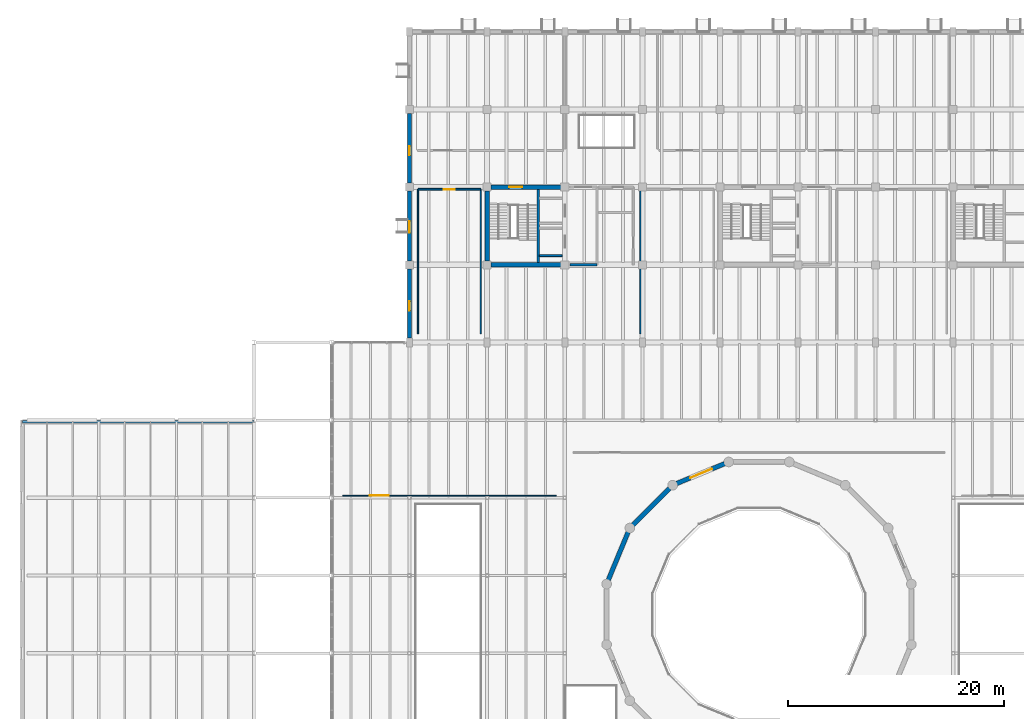
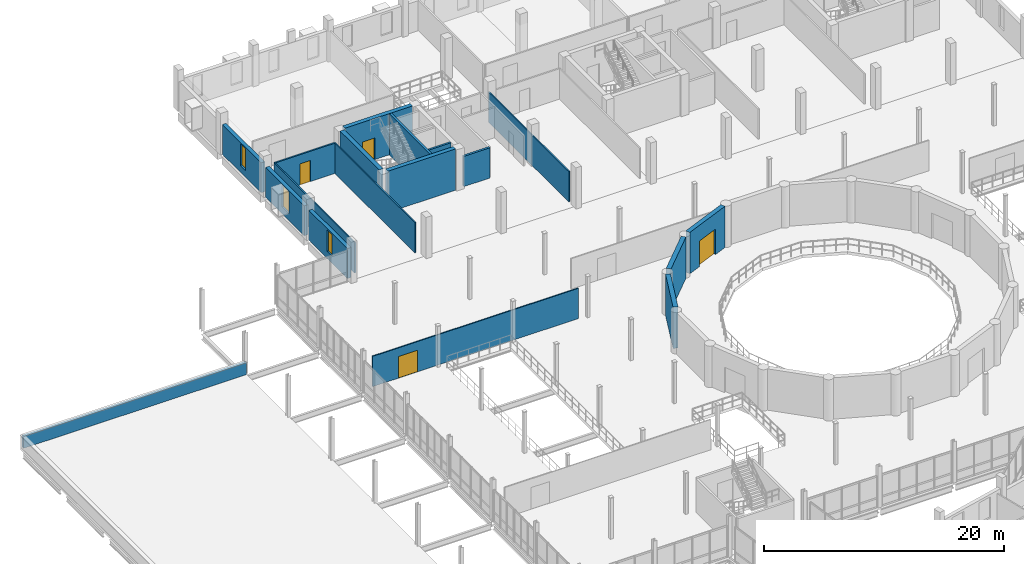
# One storey, part 59 of 72: 18 walls, 4 doors, 3 windows, 7 openings.
"""IFC4 building model written with IfcOpenShell, lengths in metres."""

from ifc_helpers import new_model, si_unit, direction, frame, frame_2d, origin, place, context, subcontext, project, spatial, rectangle, extrude, material, layer, layer_set, type_object, element, fill, save


model = new_model("IFC4")

# Units and contexts
model_context = context("Model", 3, precision=1e-05, world=origin(), true_north=direction((0.0, 1.0)))
body_context = subcontext(model_context, "Body", "Model", "MODEL_VIEW")
ifc_project = project(units=[si_unit("LENGTHUNIT", "METRE"), si_unit("AREAUNIT", "SQUARE_METRE"), si_unit("VOLUMEUNIT", "CUBIC_METRE"), si_unit("PLANEANGLEUNIT", "RADIAN"), si_unit("MASSUNIT", "GRAM", prefix="KILO")], contexts=[model_context])

# Site, building, storey
site_placement = place(None, origin())
site = spatial("IfcSite", under=ifc_project, at=site_placement, CompositionType="ELEMENT")
building_placement = place(site_placement, origin())
building = spatial("IfcBuilding", under=site, at=building_placement, Name="Qiaolan Assembly House", CompositionType="ELEMENT")
storey_placement = place(building_placement, frame((0.0, 0.0, 10.199951171875)))
storey = spatial("IfcBuildingStorey", under=building, at=storey_placement, Name="L02", CompositionType="ELEMENT", Elevation=10.199951171875)

# Wall
ifc_material_1 = material(Name="Concrete C45/55", Category="concrete")
ifc_layer_1 = layer(ifc_material_1, 0.39990234375)
ifc_layer_set_1 = layer_set([ifc_layer_1], Name="Concrete C45/55")
wall_type_1 = type_object("IfcWallType", Name="WAL-CORE-400", PredefinedType="SHEAR", material=ifc_layer_set_1)
wall_1_placement = place(storey_placement, frame((43.550048828125, 93.60009765625, 0.0), z_axis=(0.0, 0.0, 1.0), x_axis=(1.0, 0.0, 0.0)))
element("IfcWall", 1, at=wall_1_placement, inside=storey, type_object=wall_type_1, Name="CW-400 shear core wall CORE-A S L02", PredefinedType="SHEAR", context=body_context, shape_type="SweptSolid", body=[
    extrude(rectangle(XDim=6.5, YDim=0.39990234375, at=frame_2d((3.25, 0.0))), origin(), (0.0, 0.0, 1.0), 4.199951171875),
])

# Wall, opening, door
wall_2_placement = place(storey_placement, frame((50.050048828125, 100.800048828125, 0.0), z_axis=(0.0, 0.0, 1.0), x_axis=(-1.0, 0.0, 0.0)))
wall_2 = element("IfcWall", 2, at=wall_2_placement, inside=storey, type_object=wall_type_1, Name="CW-400 shear core wall CORE-A N L02", PredefinedType="SHEAR", context=body_context, shape_type="SweptSolid", body=[
    extrude(rectangle(XDim=6.5, YDim=0.39990234375, at=frame_2d((3.25, 0.0))), origin(), (0.0, 0.0, 1.0), 4.199951171875),
])
opening_1_placement = place(wall_2_placement, frame((3.60009765625, 0.0, 0.0)))
opening_1 = element("IfcOpeningElement", 3, at=opening_1_placement, cuts=wall_2, Name="Opening FD-011", PredefinedType="OPENING", context=body_context, shape_type="SweptSolid", body=[
    extrude(rectangle(XDim=1.199951171875, YDim=2.199951171875, at=frame_2d((0.60009765625, 1.10009765625))), frame((0.0, 0.2099609375, 0.0), z_axis=(0.0, -1.0, 0.0), x_axis=(1.0, 0.0, 0.0)), (0.0, 0.0, 1.0), 0.419921875),
])
ifc_material_2 = material(Name="Steel Q355B", Category="steel")
door_type_1 = type_object("IfcDoorType", Name="DOR-FIRE-FD90-1200", OperationType="NOTDEFINED", PredefinedType="DOOR", material=ifc_material_2)
door_1_placement = place(opening_1_placement, frame((1.199951171875, 0.0, 0.0), z_axis=(0.0, 0.0, 1.0), x_axis=(-1.0, 0.0, 0.0)))
door_1 = element("IfcDoor", 4, at=door_1_placement, inside=storey, type_object=door_type_1, Name="Stairwell fire door FD-011 (CORE-A L02)", OperationType="SINGLE_SWING_LEFT", OverallHeight=2.199951171875, OverallWidth=1.199951171875, PredefinedType="DOOR", context=body_context, shape_type="SweptSolid", body=[
    extrude(rectangle(XDim=1.199951171875, YDim=2.199951171875, at=frame_2d((0.60009765625, 1.10009765625))), frame((0.0, 0.02490234375, 0.0), z_axis=(0.0, -1.0, 0.0), x_axis=(1.0, 0.0, 0.0)), (0.0, 0.0, 1.0), 0.050048828125),
])
fill(opening_1, door_1)

# Wall
wall_3_placement = place(storey_placement, frame((43.199951171875, 100.449951171875, 0.0), z_axis=(0.0, 0.0, 1.0), x_axis=(0.0, -1.0, 0.0)))
element("IfcWall", 5, at=wall_3_placement, inside=storey, type_object=wall_type_1, Name="CW-400 shear core wall CORE-A W L02", PredefinedType="SHEAR", context=body_context, shape_type="SweptSolid", body=[
    extrude(rectangle(XDim=6.5, YDim=0.39990234375, at=frame_2d((3.25, 0.0))), origin(), (0.0, 0.0, 1.0), 4.199951171875),
])

# Wall, opening, door
ifc_material_3 = material(Name="Concrete C50/60", Category="concrete")
ifc_layer_2 = layer(ifc_material_3, 0.419921875)
ifc_layer_set_2 = layer_set([ifc_layer_2], Name="Concrete C50/60")
wall_type_2 = type_object("IfcWallType", Name="WAL-DRUM-420", PredefinedType="SHEAR", material=ifc_layer_set_2)
wall_4_placement = place(storey_placement, frame((60.769287109375, 73.326171875, 0.0), z_axis=(0.0, 0.0, 1.0), x_axis=(0.923882834003, 0.382675461762, 0.0)))
wall_4 = element("IfcWall", 6, at=wall_4_placement, inside=storey, type_object=wall_type_2, Name="DW-420 council chamber drum wall 5 L02", PredefinedType="SHEAR", context=body_context, shape_type="SweptSolid", body=[
    extrude(rectangle(XDim=4.818603515625, YDim=0.419921875, at=frame_2d((2.4091796875, 0.0))), origin(), (0.0, 0.0, 1.0), 4.199951171875),
])
opening_2_placement = place(wall_4_placement, frame((1.35009765625, 0.0, 0.0)))
opening_2 = element("IfcOpeningElement", 7, at=opening_2_placement, cuts=wall_4, Name="Opening CD-147", PredefinedType="OPENING", context=body_context, shape_type="SweptSolid", body=[
    extrude(rectangle(XDim=2.199951171875, YDim=2.60009765625, at=frame_2d((1.10009765625, 1.300048828125))), frame((0.0, 0.219970703125, 0.0), z_axis=(0.0, -1.0, 0.0), x_axis=(1.0, 0.0, 0.0)), (0.0, 0.0, 1.0), 0.43994140625),
])
ifc_material_4 = material(Name="Acoustic oak panelling")
door_type_2 = type_object("IfcDoorType", Name="DOR-CHAMBER-2200", OperationType="DOUBLE_DOOR_SINGLE_SWING", PredefinedType="DOOR", material=ifc_material_4)
door_2_placement = place(opening_2_placement, origin())
door_2 = element("IfcDoor", 8, at=door_2_placement, inside=storey, type_object=door_type_2, Name="Council Chamber ceremonial acoustic door CD-147", OperationType="DOUBLE_DOOR_SINGLE_SWING", OverallHeight=2.60009765625, OverallWidth=2.199951171875, PredefinedType="DOOR", context=body_context, shape_type="SweptSolid", body=[
    extrude(rectangle(XDim=2.199951171875, YDim=2.60009765625, at=frame_2d((1.10009765625, 1.300048828125))), frame((0.0, 0.02490234375, 0.0), z_axis=(0.0, -1.0, 0.0), x_axis=(1.0, 0.0, 0.0)), (0.0, 0.0, 1.0), 0.050048828125),
])
fill(opening_2, door_2)

# Walls
wall_5_placement = place(storey_placement, frame((56.709716796875, 69.483154296875, 0.0), z_axis=(0.0, 0.0, 1.0), x_axis=(0.707106781187, 0.707106781187, 0.0)))
element("IfcWall", 9, at=wall_5_placement, inside=storey, type_object=wall_type_2, Name="DW-420 council chamber drum wall 6 L02", PredefinedType="SHEAR", context=body_context, shape_type="SweptSolid", body=[
    extrude(rectangle(XDim=4.818603515625, YDim=0.419921875, at=frame_2d((2.4091796875, 0.0))), origin(), (0.0, 0.0, 1.0), 4.199951171875),
])
wall_6_placement = place(storey_placement, frame((54.4296875, 64.37890625, 0.0), z_axis=(0.0, 0.0, 1.0), x_axis=(0.382693375129, 0.923875414021, 0.0)))
element("IfcWall", 10, at=wall_6_placement, inside=storey, type_object=wall_type_2, Name="DW-420 council chamber drum wall 7 L02", PredefinedType="SHEAR", context=body_context, shape_type="SweptSolid", body=[
    extrude(rectangle(XDim=4.818359375, YDim=0.419921875, at=frame_2d((2.4091796875, 0.0))), origin(), (0.0, 0.0, 1.0), 4.199951171875),
])

# Wall, opening, window
ifc_material_5 = material(Name="Honed pale limestone", Category="masonry")
ifc_layer_3 = layer(ifc_material_5, 0.360107421875)
ifc_layer_set_3 = layer_set([ifc_layer_3], Name="Honed pale limestone")
wall_type_3 = type_object("IfcWallType", Name="WAL-EXT-LIMESTONE-360", PredefinedType="SOLIDWALL", material=ifc_layer_set_3)
wall_7_placement = place(storey_placement, frame((36.0, 86.798095703125, 0.0), z_axis=(0.0, 0.0, 1.0), x_axis=(0.0, 1.0, 0.0)))
wall_7 = element("IfcWall", 11, at=wall_7_placement, inside=storey, type_object=wall_type_3, Name="NW West avenue wall L02-1", PredefinedType="SOLIDWALL", context=body_context, shape_type="SweptSolid", body=[
    extrude(rectangle(XDim=6.428955078125, YDim=0.360107421875, at=frame_2d((3.21435546875, 0.0))), origin(), (0.0, 0.0, 1.0), 3.0400390625),
])
opening_3_placement = place(wall_7_placement, frame((2.552001953125, 0.0, 0.699951171875)))
opening_3 = element("IfcOpeningElement", 12, at=opening_3_placement, cuts=wall_7, Name="Opening WN-060", PredefinedType="OPENING", context=body_context, shape_type="SweptSolid", body=[
    extrude(rectangle(XDim=0.85009765625, YDim=2.18994140625, at=frame_2d((0.425048828125, 1.094970703125))), frame((0.0, 0.18994140625, 0.0), z_axis=(0.0, -1.0, 0.0), x_axis=(1.0, 0.0, 0.0)), (0.0, 0.0, 1.0), 0.380126953125),
])
ifc_material_6 = material(Name="Low-E double insulating glass", Category="glass")
window_type_1 = type_object("IfcWindowType", Name="WIN-END-850x2200", PartitioningType="SINGLE_PANEL", PredefinedType="WINDOW", material=ifc_material_6)
window_1_placement = place(opening_3_placement, origin())
window_1 = element("IfcWindow", 13, at=window_1_placement, inside=storey, type_object=window_type_1, Name="NW West window WN-060", OverallHeight=2.18994140625, OverallWidth=0.85009765625, PartitioningType="SINGLE_PANEL", PredefinedType="WINDOW", context=body_context, shape_type="SweptSolid", body=[
    extrude(rectangle(XDim=0.85009765625, YDim=2.18994140625, at=frame_2d((0.425048828125, 1.094970703125))), frame((0.0, 0.030029296875, 0.0), z_axis=(0.0, -1.0, 0.0), x_axis=(1.0, 0.0, 0.0)), (0.0, 0.0, 1.0), 0.06005859375),
])
fill(opening_3, window_1)

wall_8_placement = place(storey_placement, frame((36.0, 93.972900390625, 0.0), z_axis=(0.0, 0.0, 1.0), x_axis=(0.0, 1.0, 0.0)))
wall_8 = element("IfcWall", 14, at=wall_8_placement, inside=storey, type_object=wall_type_3, Name="NW West avenue wall L02-2", PredefinedType="SOLIDWALL", context=body_context, shape_type="SweptSolid", body=[
    extrude(rectangle(XDim=6.4541015625, YDim=0.360107421875, at=frame_2d((3.22705078125, 0.0))), origin(), (0.0, 0.0, 1.0), 3.0400390625),
])
opening_4_placement = place(wall_8_placement, frame((2.576904296875, 0.0, 0.699951171875)))
opening_4 = element("IfcOpeningElement", 15, at=opening_4_placement, cuts=wall_8, Name="Opening WN-062", PredefinedType="OPENING", context=body_context, shape_type="SweptSolid", body=[
    extrude(rectangle(XDim=1.10009765625, YDim=2.18994140625, at=frame_2d((0.550048828125, 1.094970703125))), frame((0.0, 0.18994140625, 0.0), z_axis=(0.0, -1.0, 0.0), x_axis=(1.0, 0.0, 0.0)), (0.0, 0.0, 1.0), 0.380126953125),
])
window_type_2 = type_object("IfcWindowType", Name="WIN-BOX-1100x2350", PartitioningType="SINGLE_PANEL", PredefinedType="WINDOW", material=ifc_material_6)
window_2_placement = place(opening_4_placement, origin())
window_2 = element("IfcWindow", 16, at=window_2_placement, inside=storey, type_object=window_type_2, Name="NW West window WN-062", OverallHeight=2.18994140625, OverallWidth=1.10009765625, PartitioningType="SINGLE_PANEL", PredefinedType="WINDOW", context=body_context, shape_type="SweptSolid", body=[
    extrude(rectangle(XDim=1.10009765625, YDim=2.18994140625, at=frame_2d((0.550048828125, 1.094970703125))), frame((0.0, 0.030029296875, 0.0), z_axis=(0.0, -1.0, 0.0), x_axis=(1.0, 0.0, 0.0)), (0.0, 0.0, 1.0), 0.06005859375),
])
fill(opening_4, window_2)

wall_9_placement = place(storey_placement, frame((36.0, 101.173095703125, 0.0), z_axis=(0.0, 0.0, 1.0), x_axis=(0.0, 1.0, 0.0)))
wall_9 = element("IfcWall", 17, at=wall_9_placement, inside=storey, type_object=wall_type_3, Name="NW West avenue wall L02-3", PredefinedType="SOLIDWALL", context=body_context, shape_type="SweptSolid", body=[
    extrude(rectangle(XDim=6.453857421875, YDim=0.360107421875, at=frame_2d((3.22705078125, 0.0))), origin(), (0.0, 0.0, 1.0), 3.0400390625),
])
opening_5_placement = place(wall_9_placement, frame((2.576904296875, 0.0, 0.699951171875)))
opening_5 = element("IfcOpeningElement", 18, at=opening_5_placement, cuts=wall_9, Name="Opening WN-064", PredefinedType="OPENING", context=body_context, shape_type="SweptSolid", body=[
    extrude(rectangle(XDim=0.85009765625, YDim=2.18994140625, at=frame_2d((0.425048828125, 1.094970703125))), frame((0.0, 0.18994140625, 0.0), z_axis=(0.0, -1.0, 0.0), x_axis=(1.0, 0.0, 0.0)), (0.0, 0.0, 1.0), 0.380126953125),
])
window_3_placement = place(opening_5_placement, origin())
window_3 = element("IfcWindow", 19, at=window_3_placement, inside=storey, type_object=window_type_1, Name="NW West window WN-064", OverallHeight=2.18994140625, OverallWidth=0.85009765625, PartitioningType="SINGLE_PANEL", PredefinedType="WINDOW", context=body_context, shape_type="SweptSolid", body=[
    extrude(rectangle(XDim=0.85009765625, YDim=2.18994140625, at=frame_2d((0.425048828125, 1.094970703125))), frame((0.0, 0.030029296875, 0.0), z_axis=(0.0, -1.0, 0.0), x_axis=(1.0, 0.0, 0.0)), (0.0, 0.0, 1.0), 0.06005859375),
])
fill(opening_5, window_3)

# Walls
ifc_material_7 = material(Name="Concrete C35/45", Category="concrete")
ifc_layer_4 = layer(ifc_material_7, 0.199951171875)
ifc_layer_set_4 = layer_set([ifc_layer_4], Name="Concrete C35/45")
wall_type_4 = type_object("IfcWallType", Name="WAL-LOBBY-200", PredefinedType="PARTITIONING", material=ifc_layer_set_4)
wall_10_placement = place(storey_placement, frame((50.8798828125, 93.60009765625, 0.0), z_axis=(0.0, 0.0, 1.0), x_axis=(1.0, 0.0, 0.0)))
element("IfcWall", 20, at=wall_10_placement, inside=storey, type_object=wall_type_4, Name="Firefighting lift lobby south wall CORE-A L02", PredefinedType="PARTITIONING", context=body_context, shape_type="SweptSolid", body=[
    extrude(rectangle(XDim=2.52001953125, YDim=0.199951171875, at=frame_2d((1.260009765625, 0.0))), origin(), (0.0, 0.0, 1.0), 3.080078125),
])
ifc_material_8 = material(Name="Precast concrete C40/50", Category="concrete")
ifc_layer_5 = layer(ifc_material_8, 0.25)
ifc_layer_set_5 = layer_set([ifc_layer_5], Name="Precast concrete C40/50")
wall_type_5 = type_object("IfcWallType", Name="WAL-PARAPET-250", PredefinedType="PARAPET", material=ifc_layer_set_5)
wall_11_placement = place(storey_placement, frame((0.14990234375, 79.050048828125, 0.0), z_axis=(0.0, 0.0, 1.0), x_axis=(1.0, 0.0, 0.0)))
element("IfcWall", 21, at=wall_11_placement, inside=storey, type_object=wall_type_5, Name="PW-250 neoclassical cornice parapet wall PAR-PORT-N", PredefinedType="PARAPET", context=body_context, shape_type="SweptSolid", body=[
    extrude(rectangle(XDim=21.4501953125, YDim=0.25, at=frame_2d((10.72509765625, 0.0))), origin(), (0.0, 0.0, 1.0), 1.199951171875),
])
ifc_material_9 = material(Name="Gypsum plasterboard partition")
ifc_layer_6 = layer(ifc_material_9, 0.1201171875)
ifc_layer_set_6 = layer_set([ifc_layer_6], Name="Gypsum plasterboard partition")
wall_type_6 = type_object("IfcWallType", Name="WAL-PART-120", PredefinedType="PARTITIONING", material=ifc_layer_set_6)
for number, where, z_axis, x_axis, name in (
    (22, (36.800048828125, 87.199951171875, 0.0), (0.0, 0.0, 1.0), (0.0, 1.0, 0.0), "Standing Committee Research Office west wall"),
    (23, (42.60009765625, 100.60009765625, 0.0), (0.0, 0.0, 1.0), (0.0, -1.0, 0.0), "Standing Committee Research Office east wall"),
    (24, (57.39990234375, 87.199951171875, 0.0), (0.0, 0.0, 1.0), (0.0, 1.0, 0.0), "Sub-Committee Caucus Room B west wall"),
):
    element("IfcWall", number, at=place(storey_placement, frame(where, z_axis=z_axis, x_axis=x_axis)), inside=storey, type_object=wall_type_6, Name=name, PredefinedType="PARTITIONING", context=body_context, shape_type="SweptSolid", body=[
        extrude(rectangle(XDim=13.400146484375, YDim=0.1201171875, at=frame_2d((6.7001953125, 0.0))), origin(), (0.0, 0.0, 1.0), 3.080078125),
    ])

# Wall, opening, door
ifc_layer_7 = layer(ifc_material_9, 0.14990234375)
ifc_layer_set_7 = layer_set([ifc_layer_7], Name="Gypsum plasterboard partition")
wall_type_7 = type_object("IfcWallType", Name="WAL-PART-150", PredefinedType="PARTITIONING", material=ifc_layer_set_7)
wall_12_placement = place(storey_placement, frame((42.60009765625, 100.60009765625, 0.0), z_axis=(0.0, 0.0, 1.0), x_axis=(-1.0, 0.0, 0.0)))
wall_12 = element("IfcWall", 25, at=wall_12_placement, inside=storey, type_object=wall_type_7, Name="Standing Committee Research Office corridor wall", PredefinedType="PARTITIONING", context=body_context, shape_type="SweptSolid", body=[
    extrude(rectangle(XDim=5.800048828125, YDim=0.14990234375, at=frame_2d((2.89990234375, 0.0))), origin(), (0.0, 0.0, 1.0), 3.080078125),
])
opening_6_placement = place(wall_12_placement, frame((2.39990234375, 0.0, 0.0)))
opening_6 = element("IfcOpeningElement", 26, at=opening_6_placement, cuts=wall_12, Name="Opening SD-196", PredefinedType="OPENING", context=body_context, shape_type="SweptSolid", body=[
    extrude(rectangle(XDim=1.0, YDim=2.14990234375, at=frame_2d((0.5, 1.074951171875))), frame((0.0, 0.0849609375, 0.0), z_axis=(0.0, -1.0, 0.0), x_axis=(1.0, 0.0, 0.0)), (0.0, 0.0, 1.0), 0.169921875),
])
door_type_3 = type_object("IfcDoorType", Name="DOR-OFF-SGL-1000", OperationType="NOTDEFINED", PredefinedType="DOOR", material=ifc_material_4)
door_3_placement = place(opening_6_placement, origin())
door_3 = element("IfcDoor", 27, at=door_3_placement, inside=storey, type_object=door_type_3, Name="Standing Committee Research Office door SD-196", OperationType="SINGLE_SWING_RIGHT", OverallHeight=2.14990234375, OverallWidth=1.0, PredefinedType="DOOR", context=body_context, shape_type="SweptSolid", body=[
    extrude(rectangle(XDim=1.0, YDim=2.14990234375, at=frame_2d((0.5, 1.074951171875))), frame((0.0, 0.02490234375, 0.0), z_axis=(0.0, -1.0, 0.0), x_axis=(1.0, 0.0, 0.0)), (0.0, 0.0, 1.0), 0.050048828125),
])
fill(opening_6, door_3)

ifc_layer_8 = layer(ifc_material_6, 0.10498046875)
ifc_layer_set_8 = layer_set([ifc_layer_8], Name="Low-E double insulating glass")
wall_type_8 = type_object("IfcWallType", Name="WAL-PART-GLAZED-120", PredefinedType="PARTITIONING", material=ifc_layer_set_8)
wall_13_placement = place(storey_placement, frame((29.800048828125, 72.199951171875, 0.0), z_axis=(0.0, 0.0, 1.0), x_axis=(1.0, 0.0, 0.0)))
wall_13 = element("IfcWall", 28, at=wall_13_placement, inside=storey, type_object=wall_type_8, Name="Citizen Assembly Seminar & Workshop Hall glazed partition", PredefinedType="PARTITIONING", context=body_context, shape_type="SweptSolid", body=[
    extrude(rectangle(XDim=19.800048828125, YDim=0.10498046875, at=frame_2d((9.89990234375, 0.0))), origin(), (0.0, 0.0, 1.0), 3.080078125),
])
opening_7_placement = place(wall_13_placement, frame((2.5, 0.0, 0.0)))
opening_7 = element("IfcOpeningElement", 29, at=opening_7_placement, cuts=wall_13, Name="Opening GD-168", PredefinedType="OPENING", context=body_context, shape_type="SweptSolid", body=[
    extrude(rectangle(XDim=1.800048828125, YDim=2.199951171875, at=frame_2d((0.89990234375, 1.10009765625))), frame((0.0, 0.0625, 0.0), z_axis=(0.0, -1.0, 0.0), x_axis=(1.0, 0.0, 0.0)), (0.0, 0.0, 1.0), 0.125),
])
ifc_material_10 = material(Name="Anodised bronze aluminium", Category="aluminium")
door_type_4 = type_object("IfcDoorType", Name="DOR-CORR-DBL-1800", OperationType="DOUBLE_DOOR_SINGLE_SWING", PredefinedType="DOOR", material=ifc_material_10)
door_4_placement = place(opening_7_placement, origin())
door_4 = element("IfcDoor", 30, at=door_4_placement, inside=storey, type_object=door_type_4, Name="Citizen Assembly Seminar & Workshop Hall door GD-168", OperationType="DOUBLE_DOOR_SINGLE_SWING", OverallHeight=2.199951171875, OverallWidth=1.800048828125, PredefinedType="DOOR", context=body_context, shape_type="SweptSolid", body=[
    extrude(rectangle(XDim=1.800048828125, YDim=2.199951171875, at=frame_2d((0.89990234375, 1.10009765625))), frame((0.0, 0.02490234375, 0.0), z_axis=(0.0, -1.0, 0.0), x_axis=(1.0, 0.0, 0.0)), (0.0, 0.0, 1.0), 0.050048828125),
])
fill(opening_7, door_4)

# Walls
ifc_layer_9 = layer(ifc_material_7, 0.18505859375)
ifc_layer_set_9 = layer_set([ifc_layer_9], Name="Concrete C35/45")
wall_type_9 = type_object("IfcWallType", Name="WAL-SHAFT-200", PredefinedType="PARTITIONING", material=ifc_layer_set_9)
wall_14_placement = place(storey_placement, frame((48.050048828125, 94.449951171875, 0.0), z_axis=(0.0, 0.0, 1.0), x_axis=(1.0, 0.0, 0.0)))
element("IfcWall", 31, at=wall_14_placement, inside=storey, type_object=wall_type_9, Name="SW-200 lift shaft wall LF-01 L02 DIVS", PredefinedType="PARTITIONING", context=body_context, shape_type="SweptSolid", body=[
    extrude(rectangle(XDim=2.099853515625, YDim=0.18505859375, at=frame_2d((1.0498046875, 0.0))), origin(), (0.0, 0.0, 1.0), 4.199951171875),
])
ifc_material_11 = material(Name="Concrete C40/50", Category="concrete")
ifc_layer_10 = layer(ifc_material_11, 0.22509765625)
ifc_layer_set_10 = layer_set([ifc_layer_10], Name="Concrete C40/50")
wall_type_10 = type_object("IfcWallType", Name="WAL-STAIR-DIV-225", PredefinedType="SHEAR", material=ifc_layer_set_10)
wall_15_placement = place(storey_placement, frame((47.919921875, 93.820068359375, 0.0), z_axis=(0.0, 0.0, 1.0), x_axis=(0.0, 1.0, 0.0)))
element("IfcWall", 32, at=wall_15_placement, inside=storey, type_object=wall_type_10, Name="SDW-225 stairwell structural spine wall CORE-A L02", PredefinedType="SHEAR", context=body_context, shape_type="SweptSolid", body=[
    extrude(rectangle(XDim=6.760009765625, YDim=0.22509765625, at=frame_2d((3.3798828125, 0.0))), origin(), (0.0, 0.0, 1.0), 4.199951171875),
])

save(model, "model.ifc")
